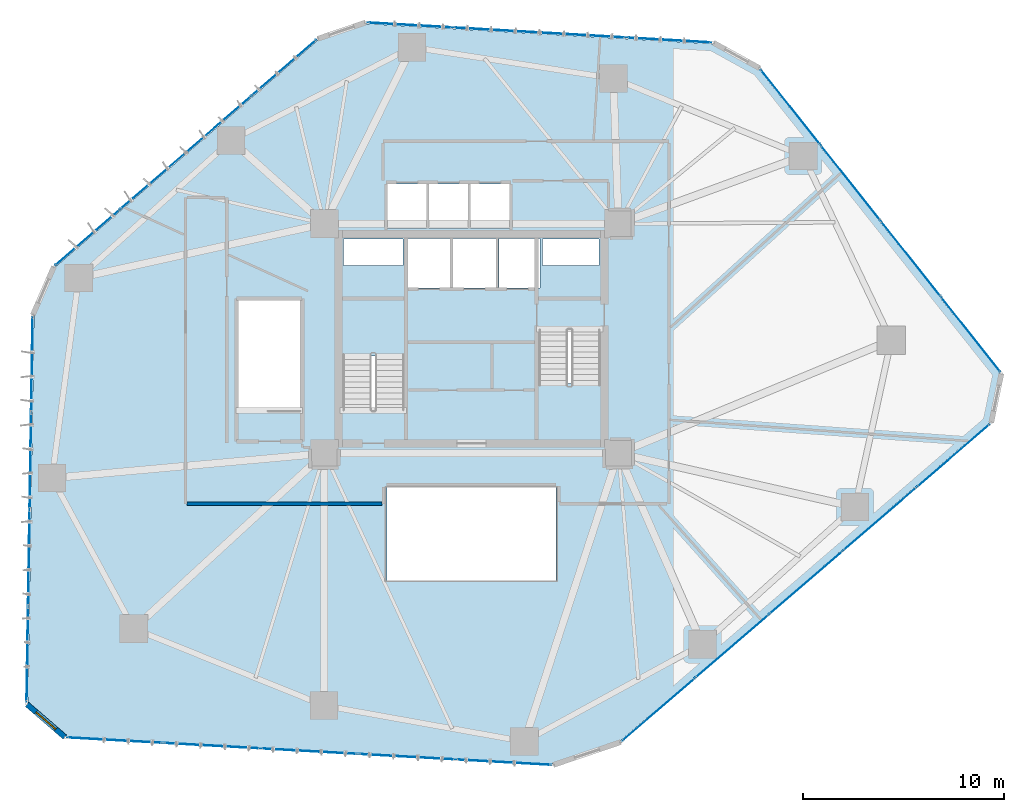
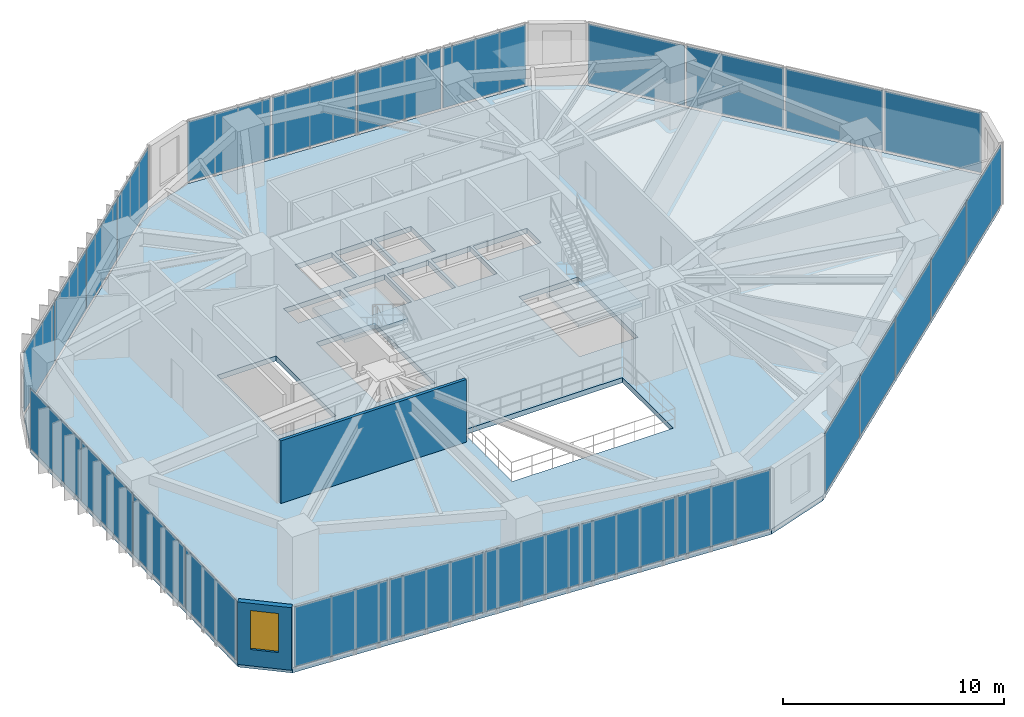
# One storey, part 18 of 24: 26 plates, 3 slabs, 2 walls, 1 window, 1 opening, 8 elements without a shape of their own.
"""IFC4 building model written with IfcOpenShell, lengths in metres."""

from ifc_helpers import new_model, si_unit, direction, frame, frame_2d, origin, origin_2d, place, context, subcontext, project, spatial, polyline, rectangle, outline, extrude, source, transform, mapped, material, layer, layer_set, type_object, type_shapes, element, fill, aggregate, save


model = new_model("IFC4")

# Units and contexts
model_context = context("Model", 3, precision=1e-05, world=origin(), true_north=direction((0.0, 1.0)))
body_context = subcontext(model_context, "Body", "Model", "MODEL_VIEW")
ifc_project = project(units=[si_unit("LENGTHUNIT", "METRE"), si_unit("AREAUNIT", "SQUARE_METRE"), si_unit("VOLUMEUNIT", "CUBIC_METRE"), si_unit("PLANEANGLEUNIT", "RADIAN"), si_unit("MASSUNIT", "GRAM", prefix="KILO")], contexts=[model_context])

# Site, building, storey
site_placement = place(None, origin())
site = spatial("IfcSite", under=ifc_project, at=site_placement, CompositionType="ELEMENT")
building_placement = place(site_placement, origin())
building = spatial("IfcBuilding", under=site, at=building_placement, Name="Talar Marvaseh", CompositionType="ELEMENT")
storey_placement = place(building_placement, frame((0.0, 0.0, 81.0)))
storey = spatial("IfcBuildingStorey", under=building, at=storey_placement, Name="L20", CompositionType="ELEMENT", Elevation=81.0)

# Stair, slab
ifc_material_1 = material(Name="Concrete C40/50", Category="concrete")
stair_type = type_object("IfcStairType", Name="Reinforced Concrete Half-Turn Exit Stair Type B", PredefinedType="HALF_TURN_STAIR", material=ifc_material_1)
stair_1_placement = place(storey_placement, origin())
stair_1 = element("IfcStair", 1, at=stair_1_placement, inside=storey, type_object=stair_type, Name="L20 Tower West Core Exit Stair", PredefinedType="HALF_TURN_STAIR")
ifc_layer_1 = layer(ifc_material_1, 0.199951171875)
ifc_layer_set_1 = layer_set([ifc_layer_1], Name="Concrete C40/50")
slab_type_1 = type_object("IfcSlabType", Name="Reinforced Concrete Stair Half-Landing Slab 200", PredefinedType="LANDING", material=ifc_layer_set_1)
slab_1_placement = place(storey_placement, frame((0.0, 0.0, 1.699951171875)))
slab_1 = element("IfcSlab", 2, at=slab_1_placement, type_object=slab_type_1, Name="ST-1 landing 1", PredefinedType="LANDING", context=body_context, shape_type="SweptSolid", body=[
    extrude(outline(polyline([(22.780029296875, 30.330078125), (22.780029296875, 33.219970703125), (19.47998046875, 33.219970703125), (19.47998046875, 30.330078125), (22.780029296875, 30.330078125)])), origin(), (0.0, 0.0, 1.0), 0.199951171875),
])
aggregate(stair_1, [slab_1])

stair_2_placement = place(storey_placement, origin())
stair_2 = element("IfcStair", 3, at=stair_2_placement, inside=storey, type_object=stair_type, Name="L20 Tower East Core Exit Stair", PredefinedType="HALF_TURN_STAIR")
slab_2_placement = place(storey_placement, frame((0.0, 0.0, 1.699951171875)))
slab_2 = element("IfcSlab", 4, at=slab_2_placement, type_object=slab_type_1, Name="ST-2 landing 1", PredefinedType="LANDING", context=body_context, shape_type="SweptSolid", body=[
    extrude(outline(polyline([(29.219970703125, 28.969970703125), (29.219970703125, 26.080078125), (32.52001953125, 26.080078125), (32.52001953125, 28.969970703125), (29.219970703125, 28.969970703125)])), origin(), (0.0, 0.0, 1.0), 0.199951171875),
])
aggregate(stair_2, [slab_2])

# Slab
ifc_layer_2 = layer(ifc_material_1, 0.280029296875)
ifc_layer_set_2 = layer_set([ifc_layer_2], Name="Concrete C40/50")
slab_type_2 = type_object("IfcSlabType", Name="Structural Suspended Floor Slab 280", PredefinedType="FLOOR", material=ifc_layer_set_2)
slab_3_placement = place(storey_placement, frame((0.0, 0.0, -0.280029296875)))
element("IfcSlab", 5, at=slab_3_placement, inside=storey, type_object=slab_type_2, Name="L20 Tower Floor Slab", PredefinedType="FLOOR", context=body_context, shape_type="SweptSolid", body=[
    extrude(outline(polyline([(5.85498046875, 11.459228515625), (3.975341796875, 13.083251953125), (4.279296875, 32.347412109375), (5.330322265625, 34.750732421875), (18.38330078125, 46.02490234375), (20.765625, 46.83349609375), (37.984375, 45.835205078125), (40.281494140625, 44.568359375), (52.249755859375, 29.47021484375), (51.7470703125, 27.03759765625), (33.391357421875, 11.226318359375), (30.04296875, 10.089599609375), (5.85498046875, 11.459228515625)]), holes=[polyline([(22.659912109375, 27.64990234375), (22.659912109375, 33.10009765625), (19.60009765625, 33.10009765625), (19.60009765625, 27.64990234375), (22.659912109375, 27.64990234375)]), polyline([(29.340087890625, 31.64990234375), (29.340087890625, 26.199951171875), (32.39990234375, 26.199951171875), (32.39990234375, 31.64990234375), (29.340087890625, 31.64990234375)]), polyline([(17.5, 27.64990234375), (17.5, 33.10009765625), (14.43994140625, 33.10009765625), (14.43994140625, 27.64990234375), (17.5, 27.64990234375)]), polyline([(22.800048828125, 33.719970703125), (24.93994140625, 33.719970703125), (24.93994140625, 36.179931640625), (22.800048828125, 36.179931640625), (22.800048828125, 33.719970703125)]), polyline([(25.080078125, 33.719970703125), (27.219970703125, 33.719970703125), (27.219970703125, 36.179931640625), (25.080078125, 36.179931640625), (25.080078125, 33.719970703125)]), polyline([(27.360107421875, 33.719970703125), (29.39990234375, 33.719970703125), (29.39990234375, 36.179931640625), (27.360107421875, 36.179931640625), (27.360107421875, 33.719970703125)]), polyline([(21.840087890625, 36.659912109375), (23.760009765625, 36.659912109375), (23.760009765625, 38.8798828125), (21.840087890625, 38.8798828125), (21.840087890625, 36.659912109375)]), polyline([(23.89990234375, 36.659912109375), (25.820068359375, 36.659912109375), (25.820068359375, 38.8798828125), (23.89990234375, 38.8798828125), (23.89990234375, 36.659912109375)]), polyline([(25.9599609375, 36.659912109375), (27.8798828125, 36.659912109375), (27.8798828125, 38.8798828125), (25.9599609375, 38.8798828125), (25.9599609375, 36.659912109375)]), polyline([(19.659912109375, 34.840087890625), (22.60009765625, 34.840087890625), (22.60009765625, 36.139892578125), (19.659912109375, 36.139892578125), (19.659912109375, 34.840087890625)]), polyline([(29.52001953125, 34.840087890625), (32.340087890625, 34.840087890625), (32.340087890625, 36.139892578125), (29.52001953125, 36.139892578125), (29.52001953125, 34.840087890625)]), polyline([(21.800048828125, 19.199951171875), (30.199951171875, 19.199951171875), (30.199951171875, 23.800048828125), (21.800048828125, 23.800048828125), (21.800048828125, 19.199951171875)])]), origin(), (0.0, 0.0, 1.0), 0.280029296875),
])

# Curtain wall, plates
ifc_material_2 = material(Name="Architectural Aluminium", Category="aluminium")
ifc_layer_3 = layer(ifc_material_2, 0.219970703125)
ifc_layer_set_3 = layer_set([ifc_layer_3], Name="Architectural Aluminium")
curtain_wall_type = type_object("IfcCurtainWallType", Name="Unitised Low-E Museum Curtain Wall Z1", PredefinedType="NOTDEFINED", material=ifc_layer_set_3)
curtain_wall_1_placement = place(storey_placement, origin())
curtain_wall_1 = element("IfcCurtainWall", 6, at=curtain_wall_1_placement, inside=storey, type_object=curtain_wall_type, Name="L20 Unitised Low-E Museum Curtain Wall Z1", PredefinedType="NOTDEFINED")
ifc_material_3 = material(Name="Laminated Low-E Solar Glass", Category="glass")
ifc_layer_4 = layer(ifc_material_3, 0.028076171875)
ifc_layer_set_4 = layer_set([ifc_layer_4], Name="Laminated Low-E Solar Glass")
plate_type = type_object("IfcPlateType", Name="Double-Glazed Low-E Vision Curtain Panel 28", PredefinedType="CURTAIN_PANEL", material=ifc_layer_set_4)
shared_shape_1 = source(origin(), body_context, "Body", "SweptSolid", [
    extrude(rectangle(XDim=4.696533203125, YDim=0.028076171875, at=origin_2d()), origin(), (0.0, 0.0, 1.0), 3.300048828125),
])
plate_1_placement = place(storey_placement, frame((3.95361328125, 15.51220703125, 0.0751953125), z_axis=(0.0, 0.0, 1.0), x_axis=(0.015773577229, 0.999875589392, 0.0)))
plate_1 = element("IfcPlate", 7, at=plate_1_placement, type_object=plate_type, Name="CW-Z1 panel 1.1", PredefinedType="CURTAIN_PANEL", context=body_context, shape_type="MappedRepresentation", body=[
    mapped(shared_shape_1, transform((0.0, 0.0, 0.0), x_axis=(1.0, 0.0, 0.0), y_axis=(0.0, 1.0, 0.0), z_axis=(0.0, 0.0, 1.0), scale=1.0)),
])
plate_2_placement = place(storey_placement, frame((4.180908203125, 29.920166015625, 0.0751953125), z_axis=(0.0, 0.0, 1.0), x_axis=(0.015773577229, 0.999875589392, 0.0)))
plate_2 = element("IfcPlate", 8, at=plate_2_placement, type_object=plate_type, Name="CW-Z1 panel 4.1", PredefinedType="CURTAIN_PANEL", context=body_context, shape_type="MappedRepresentation", body=[
    mapped(shared_shape_1, transform((0.0, 0.0, 0.0), x_axis=(1.0, 0.0, 0.0), y_axis=(0.0, 1.0, 0.0), z_axis=(0.0, 0.0, 1.0), scale=1.0)),
])

curtain_wall_2_placement = place(storey_placement, origin())
curtain_wall_2 = element("IfcCurtainWall", 9, at=curtain_wall_2_placement, inside=storey, type_object=curtain_wall_type, Name="L20 Unitised Low-E Museum Curtain Wall Z1", PredefinedType="NOTDEFINED")
plate_3_placement = place(storey_placement, frame((41.8369140625, 42.702880859375, 0.0751953125), z_axis=(0.0, 0.0, 1.0), x_axis=(0.621201761097, -0.783650669629, 0.0)))
plate_3 = element("IfcPlate", 10, at=plate_3_placement, type_object=plate_type, Name="CW-Z1 panel 1.1", PredefinedType="CURTAIN_PANEL", context=body_context, shape_type="MappedRepresentation", body=[
    mapped(shared_shape_1, transform((0.0, 0.0, 0.0), x_axis=(1.0, 0.0, 0.0), y_axis=(0.0, 1.0, 0.0), z_axis=(0.0, 0.0, 1.0), scale=1.0)),
])
plate_4_placement = place(storey_placement, frame((50.788330078125, 31.41064453125, 0.0751953125), z_axis=(0.0, 0.0, 1.0), x_axis=(0.621201761097, -0.783650669629, 0.0)))
plate_4 = element("IfcPlate", 11, at=plate_4_placement, type_object=plate_type, Name="CW-Z1 panel 4.1", PredefinedType="CURTAIN_PANEL", context=body_context, shape_type="MappedRepresentation", body=[
    mapped(shared_shape_1, transform((0.0, 0.0, 0.0), x_axis=(1.0, 0.0, 0.0), y_axis=(0.0, 1.0, 0.0), z_axis=(0.0, 0.0, 1.0), scale=1.0)),
])

# Plate
shared_shape_2 = source(origin(), body_context, "Body", "SweptSolid", [
    extrude(rectangle(XDim=4.736572265625, YDim=0.028076171875, at=origin_2d()), origin(), (0.0, 0.0, 1.0), 3.300048828125),
])
plate_5_placement = place(storey_placement, frame((4.029296875, 20.30810546875, 0.0751953125), z_axis=(0.0, 0.0, 1.0), x_axis=(0.015773577229, 0.999875589392, 0.0)))
plate_5 = element("IfcPlate", 12, at=plate_5_placement, type_object=plate_type, Name="CW-Z1 panel 2.1", PredefinedType="CURTAIN_PANEL", context=body_context, shape_type="MappedRepresentation", body=[
    mapped(shared_shape_2, transform((0.0, 0.0, 0.0), x_axis=(1.0, 0.0, 0.0), y_axis=(0.0, 1.0, 0.0), z_axis=(0.0, 0.0, 1.0), scale=1.0)),
])

plate_6_placement = place(storey_placement, frame((4.105224609375, 25.124267578125, 0.0751953125), z_axis=(0.0, 0.0, 1.0), x_axis=(0.015773577229, 0.999875589392, 0.0)))
plate_6 = element("IfcPlate", 13, at=plate_6_placement, type_object=plate_type, Name="CW-Z1 panel 3.1", PredefinedType="CURTAIN_PANEL", context=body_context, shape_type="MappedRepresentation", body=[
    mapped(shared_shape_2, transform((0.0, 0.0, 0.0), x_axis=(1.0, 0.0, 0.0), y_axis=(0.0, 1.0, 0.0), z_axis=(0.0, 0.0, 1.0), scale=1.0)),
])

aggregate(curtain_wall_1, [plate_1, plate_5, plate_6, plate_2])

plate_7_placement = place(storey_placement, frame((44.81640625, 38.94384765625, 0.0751953125), z_axis=(0.0, 0.0, 1.0), x_axis=(0.621201761097, -0.783650669629, 0.0)))
plate_7 = element("IfcPlate", 14, at=plate_7_placement, type_object=plate_type, Name="CW-Z1 panel 2.1", PredefinedType="CURTAIN_PANEL", context=body_context, shape_type="MappedRepresentation", body=[
    mapped(shared_shape_2, transform((0.0, 0.0, 0.0), x_axis=(1.0, 0.0, 0.0), y_axis=(0.0, 1.0, 0.0), z_axis=(0.0, 0.0, 1.0), scale=1.0)),
])

plate_8_placement = place(storey_placement, frame((47.80859375, 35.16943359375, 0.0751953125), z_axis=(0.0, 0.0, 1.0), x_axis=(0.621201761097, -0.783650669629, 0.0)))
plate_8 = element("IfcPlate", 15, at=plate_8_placement, type_object=plate_type, Name="CW-Z1 panel 3.1", PredefinedType="CURTAIN_PANEL", context=body_context, shape_type="MappedRepresentation", body=[
    mapped(shared_shape_2, transform((0.0, 0.0, 0.0), x_axis=(1.0, 0.0, 0.0), y_axis=(0.0, 1.0, 0.0), z_axis=(0.0, 0.0, 1.0), scale=1.0)),
])

aggregate(curtain_wall_2, [plate_3, plate_7, plate_8, plate_4])

# Curtain wall, plates
curtain_wall_3_placement = place(storey_placement, origin())
curtain_wall_3 = element("IfcCurtainWall", 16, at=curtain_wall_3_placement, inside=storey, type_object=curtain_wall_type, Name="L20 Unitised Low-E Museum Curtain Wall Z1", PredefinedType="NOTDEFINED")
shared_shape_3 = source(origin(), body_context, "Body", "SweptSolid", [
    extrude(rectangle(XDim=4.19189453125, YDim=0.028076171875, at=origin_2d()), origin(), (0.0, 0.0, 1.0), 3.300048828125),
])
plate_9_placement = place(storey_placement, frame((6.93798828125, 36.218505859375, 0.0751953125), z_axis=(0.0, 0.0, 1.0), x_axis=(0.756790675726, 0.653657305577, 0.0)))
plate_9 = element("IfcPlate", 17, at=plate_9_placement, type_object=plate_type, Name="CW-Z1 panel 1.1", PredefinedType="CURTAIN_PANEL", context=body_context, shape_type="MappedRepresentation", body=[
    mapped(shared_shape_3, transform((0.0, 0.0, 0.0), x_axis=(1.0, 0.0, 0.0), y_axis=(0.0, 1.0, 0.0), z_axis=(0.0, 0.0, 1.0), scale=1.0)),
])
plate_10_placement = place(storey_placement, frame((16.697265625, 44.64794921875, 0.0751953125), z_axis=(0.0, 0.0, 1.0), x_axis=(0.756790675726, 0.653657305577, 0.0)))
plate_10 = element("IfcPlate", 18, at=plate_10_placement, type_object=plate_type, Name="CW-Z1 panel 4.1", PredefinedType="CURTAIN_PANEL", context=body_context, shape_type="MappedRepresentation", body=[
    mapped(shared_shape_3, transform((0.0, 0.0, 0.0), x_axis=(1.0, 0.0, 0.0), y_axis=(0.0, 1.0, 0.0), z_axis=(0.0, 0.0, 1.0), scale=1.0)),
])

curtain_wall_4_placement = place(storey_placement, origin())
curtain_wall_4 = element("IfcCurtainWall", 19, at=curtain_wall_4_placement, inside=storey, type_object=curtain_wall_type, Name="L20 Unitised Low-E Museum Curtain Wall Z1", PredefinedType="NOTDEFINED")
plate_11_placement = place(storey_placement, frame((22.94140625, 46.767578125, 0.0751953125), z_axis=(0.0, 0.0, 1.0), x_axis=(0.998323836153, -0.057875021972, 0.0)))
plate_11 = element("IfcPlate", 20, at=plate_11_placement, type_object=plate_type, Name="CW-Z1 panel 1.1", PredefinedType="CURTAIN_PANEL", context=body_context, shape_type="MappedRepresentation", body=[
    mapped(shared_shape_3, transform((0.0, 0.0, 0.0), x_axis=(1.0, 0.0, 0.0), y_axis=(0.0, 1.0, 0.0), z_axis=(0.0, 0.0, 1.0), scale=1.0)),
])
plate_12_placement = place(storey_placement, frame((35.8154296875, 46.021240234375, 0.0751953125), z_axis=(0.0, 0.0, 1.0), x_axis=(0.998323836153, -0.057875021972, 0.0)))
plate_12 = element("IfcPlate", 21, at=plate_12_placement, type_object=plate_type, Name="CW-Z1 panel 4.1", PredefinedType="CURTAIN_PANEL", context=body_context, shape_type="MappedRepresentation", body=[
    mapped(shared_shape_3, transform((0.0, 0.0, 0.0), x_axis=(1.0, 0.0, 0.0), y_axis=(0.0, 1.0, 0.0), z_axis=(0.0, 0.0, 1.0), scale=1.0)),
])

# Plate
shared_shape_4 = source(origin(), body_context, "Body", "SweptSolid", [
    extrude(rectangle(XDim=4.23193359375, YDim=0.028076171875, at=origin_2d()), origin(), (0.0, 0.0, 1.0), 3.300048828125),
])
plate_13_placement = place(storey_placement, frame((10.18603515625, 39.02392578125, 0.0751953125), z_axis=(0.0, 0.0, 1.0), x_axis=(0.756790675726, 0.653657305577, 0.0)))
plate_13 = element("IfcPlate", 22, at=plate_13_placement, type_object=plate_type, Name="CW-Z1 panel 2.1", PredefinedType="CURTAIN_PANEL", context=body_context, shape_type="MappedRepresentation", body=[
    mapped(shared_shape_4, transform((0.0, 0.0, 0.0), x_axis=(1.0, 0.0, 0.0), y_axis=(0.0, 1.0, 0.0), z_axis=(0.0, 0.0, 1.0), scale=1.0)),
])

plate_14_placement = place(storey_placement, frame((13.44921875, 41.842529296875, 0.0751953125), z_axis=(0.0, 0.0, 1.0), x_axis=(0.756790675726, 0.653657305577, 0.0)))
plate_14 = element("IfcPlate", 23, at=plate_14_placement, type_object=plate_type, Name="CW-Z1 panel 3.1", PredefinedType="CURTAIN_PANEL", context=body_context, shape_type="MappedRepresentation", body=[
    mapped(shared_shape_4, transform((0.0, 0.0, 0.0), x_axis=(1.0, 0.0, 0.0), y_axis=(0.0, 1.0, 0.0), z_axis=(0.0, 0.0, 1.0), scale=1.0)),
])

aggregate(curtain_wall_3, [plate_9, plate_13, plate_14, plate_10])

plate_15_placement = place(storey_placement, frame((27.22607421875, 46.51904296875, 0.0751953125), z_axis=(0.0, 0.0, 1.0), x_axis=(0.998323836153, -0.057875021972, 0.0)))
plate_15 = element("IfcPlate", 24, at=plate_15_placement, type_object=plate_type, Name="CW-Z1 panel 2.1", PredefinedType="CURTAIN_PANEL", context=body_context, shape_type="MappedRepresentation", body=[
    mapped(shared_shape_4, transform((0.0, 0.0, 0.0), x_axis=(1.0, 0.0, 0.0), y_axis=(0.0, 1.0, 0.0), z_axis=(0.0, 0.0, 1.0), scale=1.0)),
])

plate_16_placement = place(storey_placement, frame((31.53076171875, 46.26953125, 0.0751953125), z_axis=(0.0, 0.0, 1.0), x_axis=(0.998323836153, -0.057875021972, 0.0)))
plate_16 = element("IfcPlate", 25, at=plate_16_placement, type_object=plate_type, Name="CW-Z1 panel 3.1", PredefinedType="CURTAIN_PANEL", context=body_context, shape_type="MappedRepresentation", body=[
    mapped(shared_shape_4, transform((0.0, 0.0, 0.0), x_axis=(1.0, 0.0, 0.0), y_axis=(0.0, 1.0, 0.0), z_axis=(0.0, 0.0, 1.0), scale=1.0)),
])

aggregate(curtain_wall_4, [plate_11, plate_15, plate_16, plate_12])

# Curtain wall, plates
curtain_wall_5_placement = place(storey_placement, origin())
curtain_wall_5 = element("IfcCurtainWall", 26, at=curtain_wall_5_placement, inside=storey, type_object=curtain_wall_type, Name="L20 Unitised Low-E Museum Curtain Wall Z1", PredefinedType="NOTDEFINED")
shared_shape_5 = source(origin(), body_context, "Body", "SweptSolid", [
    extrude(rectangle(XDim=4.725341796875, YDim=0.028076171875, at=origin_2d()), origin(), (0.0, 0.0, 1.0), 3.300048828125),
])
plate_17_placement = place(storey_placement, frame((49.935546875, 25.39794921875, 0.0751953125), z_axis=(0.0, 0.0, 1.0), x_axis=(-0.757664646036, -0.652644071563, 0.0)))
plate_17 = element("IfcPlate", 27, at=plate_17_placement, type_object=plate_type, Name="CW-Z1 panel 1.1", PredefinedType="CURTAIN_PANEL", context=body_context, shape_type="MappedRepresentation", body=[
    mapped(shared_shape_5, transform((0.0, 0.0, 0.0), x_axis=(1.0, 0.0, 0.0), y_axis=(0.0, 1.0, 0.0), z_axis=(0.0, 0.0, 1.0), scale=1.0)),
])
plate_18_placement = place(storey_placement, frame((35.28125, 12.77490234375, 0.0751953125), z_axis=(0.0, 0.0, 1.0), x_axis=(-0.757664646036, -0.652644071563, 0.0)))
plate_18 = element("IfcPlate", 28, at=plate_18_placement, type_object=plate_type, Name="CW-Z1 panel 5.1", PredefinedType="CURTAIN_PANEL", context=body_context, shape_type="MappedRepresentation", body=[
    mapped(shared_shape_5, transform((0.0, 0.0, 0.0), x_axis=(1.0, 0.0, 0.0), y_axis=(0.0, 1.0, 0.0), z_axis=(0.0, 0.0, 1.0), scale=1.0)),
])

curtain_wall_6_placement = place(storey_placement, origin())
curtain_wall_6 = element("IfcCurtainWall", 29, at=curtain_wall_6_placement, inside=storey, type_object=curtain_wall_type, Name="L20 Unitised Low-E Museum Curtain Wall Z1", PredefinedType="NOTDEFINED")
plate_19_placement = place(storey_placement, frame((27.600830078125, 10.167724609375, 0.0751953125), z_axis=(0.0, 0.0, 1.0), x_axis=(-0.998400509596, 0.056536912182, 0.0)))
plate_19 = element("IfcPlate", 30, at=plate_19_placement, type_object=plate_type, Name="CW-Z1 panel 1.1", PredefinedType="CURTAIN_PANEL", context=body_context, shape_type="MappedRepresentation", body=[
    mapped(shared_shape_5, transform((0.0, 0.0, 0.0), x_axis=(1.0, 0.0, 0.0), y_axis=(0.0, 1.0, 0.0), z_axis=(0.0, 0.0, 1.0), scale=1.0)),
])
plate_20_placement = place(storey_placement, frame((8.290283203125, 11.26123046875, 0.0751953125), z_axis=(0.0, 0.0, 1.0), x_axis=(-0.998400509596, 0.056536912182, 0.0)))
plate_20 = element("IfcPlate", 31, at=plate_20_placement, type_object=plate_type, Name="CW-Z1 panel 5.1", PredefinedType="CURTAIN_PANEL", context=body_context, shape_type="MappedRepresentation", body=[
    mapped(shared_shape_5, transform((0.0, 0.0, 0.0), x_axis=(1.0, 0.0, 0.0), y_axis=(0.0, 1.0, 0.0), z_axis=(0.0, 0.0, 1.0), scale=1.0)),
])

# Plate
shared_shape_6 = source(origin(), body_context, "Body", "SweptSolid", [
    extrude(rectangle(XDim=4.765380859375, YDim=0.028076171875, at=origin_2d()), origin(), (0.0, 0.0, 1.0), 3.300048828125),
])
type_shapes(plate_type, [shared_shape_1, shared_shape_2, shared_shape_3, shared_shape_4, shared_shape_5, shared_shape_6])
plate_21_placement = place(storey_placement, frame((46.279541015625, 22.248779296875, 0.0751953125), z_axis=(0.0, 0.0, 1.0), x_axis=(-0.757664646036, -0.652644071563, 0.0)))
plate_21 = element("IfcPlate", 32, at=plate_21_placement, type_object=plate_type, Name="CW-Z1 panel 2.1", PredefinedType="CURTAIN_PANEL", context=body_context, shape_type="MappedRepresentation", body=[
    mapped(shared_shape_6, transform((0.0, 0.0, 0.0), x_axis=(1.0, 0.0, 0.0), y_axis=(0.0, 1.0, 0.0), z_axis=(0.0, 0.0, 1.0), scale=1.0)),
])

plate_22_placement = place(storey_placement, frame((42.6083984375, 19.08642578125, 0.0751953125), z_axis=(0.0, 0.0, 1.0), x_axis=(-0.757664646036, -0.652644071563, 0.0)))
plate_22 = element("IfcPlate", 33, at=plate_22_placement, type_object=plate_type, Name="CW-Z1 panel 3.1", PredefinedType="CURTAIN_PANEL", context=body_context, shape_type="MappedRepresentation", body=[
    mapped(shared_shape_6, transform((0.0, 0.0, 0.0), x_axis=(1.0, 0.0, 0.0), y_axis=(0.0, 1.0, 0.0), z_axis=(0.0, 0.0, 1.0), scale=1.0)),
])

plate_23_placement = place(storey_placement, frame((38.937255859375, 15.924072265625, 0.0751953125), z_axis=(0.0, 0.0, 1.0), x_axis=(-0.757664646036, -0.652644071563, 0.0)))
plate_23 = element("IfcPlate", 34, at=plate_23_placement, type_object=plate_type, Name="CW-Z1 panel 4.1", PredefinedType="CURTAIN_PANEL", context=body_context, shape_type="MappedRepresentation", body=[
    mapped(shared_shape_6, transform((0.0, 0.0, 0.0), x_axis=(1.0, 0.0, 0.0), y_axis=(0.0, 1.0, 0.0), z_axis=(0.0, 0.0, 1.0), scale=1.0)),
])

aggregate(curtain_wall_5, [plate_17, plate_21, plate_22, plate_23, plate_18])

plate_24_placement = place(storey_placement, frame((22.783203125, 10.440673828125, 0.0751953125), z_axis=(0.0, 0.0, 1.0), x_axis=(-0.998400509596, 0.056536912182, 0.0)))
plate_24 = element("IfcPlate", 35, at=plate_24_placement, type_object=plate_type, Name="CW-Z1 panel 2.1", PredefinedType="CURTAIN_PANEL", context=body_context, shape_type="MappedRepresentation", body=[
    mapped(shared_shape_6, transform((0.0, 0.0, 0.0), x_axis=(1.0, 0.0, 0.0), y_axis=(0.0, 1.0, 0.0), z_axis=(0.0, 0.0, 1.0), scale=1.0)),
])

plate_25_placement = place(storey_placement, frame((17.945556640625, 10.714599609375, 0.0751953125), z_axis=(0.0, 0.0, 1.0), x_axis=(-0.998400509596, 0.056536912182, 0.0)))
plate_25 = element("IfcPlate", 36, at=plate_25_placement, type_object=plate_type, Name="CW-Z1 panel 3.1", PredefinedType="CURTAIN_PANEL", context=body_context, shape_type="MappedRepresentation", body=[
    mapped(shared_shape_6, transform((0.0, 0.0, 0.0), x_axis=(1.0, 0.0, 0.0), y_axis=(0.0, 1.0, 0.0), z_axis=(0.0, 0.0, 1.0), scale=1.0)),
])

plate_26_placement = place(storey_placement, frame((13.10791015625, 10.988525390625, 0.0751953125), z_axis=(0.0, 0.0, 1.0), x_axis=(-0.998400509596, 0.056536912182, 0.0)))
plate_26 = element("IfcPlate", 37, at=plate_26_placement, type_object=plate_type, Name="CW-Z1 panel 4.1", PredefinedType="CURTAIN_PANEL", context=body_context, shape_type="MappedRepresentation", body=[
    mapped(shared_shape_6, transform((0.0, 0.0, 0.0), x_axis=(1.0, 0.0, 0.0), y_axis=(0.0, 1.0, 0.0), z_axis=(0.0, 0.0, 1.0), scale=1.0)),
])

aggregate(curtain_wall_6, [plate_19, plate_24, plate_25, plate_26, plate_20])

# Wall, opening, window
ifc_material_4 = material(Name="Precast concrete C45/55", Category="concrete")
ifc_layer_5 = layer(ifc_material_4, 0.27001953125)
ifc_layer_set_5 = layer_set([ifc_layer_5], Name="Precast concrete C45/55")
wall_type_1 = type_object("IfcWallType", Name="Chamfered Hexagonal Corner Pier Wall Z1 270", PredefinedType="SOLIDWALL", material=ifc_layer_set_5)
wall_1_placement = place(storey_placement, frame((5.81591796875, 11.413818359375, 0.0), z_axis=(0.0, 0.0, 1.0), x_axis=(-0.756725770049, 0.653732444463, 0.0)))
wall_1 = element("IfcWall", 38, at=wall_1_placement, inside=storey, type_object=wall_type_1, Name="L20 Chamfered Corner Limestone Pier 1", PredefinedType="SOLIDWALL", context=body_context, shape_type="SweptSolid", body=[
    extrude(rectangle(XDim=2.484130859375, YDim=0.27001953125, at=frame_2d((1.2421875, 0.0))), origin(), (0.0, 0.0, 1.0), 3.449951171875),
])
opening_placement = place(wall_1_placement, frame((0.592041015625, 0.0, 0.89990234375)))
opening = element("IfcOpeningElement", 39, at=opening_placement, cuts=wall_1, Name="Opening WN-CHM13", PredefinedType="OPENING", context=body_context, shape_type="SweptSolid", body=[
    extrude(rectangle(XDim=1.300048828125, YDim=2.14990234375, at=frame_2d((0.64990234375, 1.074951171875))), frame((0.0, 0.14501953125, 0.0), z_axis=(0.0, -1.0, 0.0), x_axis=(1.0, 0.0, 0.0)), (0.0, 0.0, 1.0), 0.2900390625),
])
window_type = type_object("IfcWindowType", Name="Zone 1 Chamfered Corner Slot Window 1300x2150", PartitioningType="SINGLE_PANEL", PredefinedType="WINDOW", material=ifc_material_3)
shared_shape_7 = source(origin(), body_context, "Body", "SweptSolid", [
    extrude(rectangle(XDim=1.300048828125, YDim=2.14990234375, at=frame_2d((0.64990234375, 1.074951171875))), frame((0.0, 0.030029296875, 0.0), z_axis=(0.0, -1.0, 0.0), x_axis=(1.0, 0.0, 0.0)), (0.0, 0.0, 1.0), 0.06005859375),
])
type_shapes(window_type, [shared_shape_7])
window_placement = place(opening_placement, origin())
window = element("IfcWindow", 40, at=window_placement, inside=storey, type_object=window_type, Name="L20 Chamfered Corner Slot Window", OverallHeight=2.14990234375, OverallWidth=1.300048828125, PartitioningType="SINGLE_PANEL", PredefinedType="WINDOW", context=body_context, shape_type="MappedRepresentation", body=[
    mapped(shared_shape_7, transform((0.0, 0.0, 0.0), x_axis=(1.0, 0.0, 0.0), y_axis=(0.0, 1.0, 0.0), z_axis=(0.0, 0.0, 1.0), scale=1.0)),
])
fill(opening, window)

# Wall
ifc_material_5 = material(Name="Gypsum Board Partition Assembly")
ifc_layer_6 = layer(ifc_material_5, 0.155029296875)
ifc_layer_set_6 = layer_set([ifc_layer_6], Name="Gypsum Board Partition Assembly")
wall_type_2 = type_object("IfcWallType", Name="Corridor Fire-Rated Acoustic Partition 155", PredefinedType="PARTITIONING", material=ifc_layer_set_6)
wall_2_placement = place(storey_placement, frame((21.556396484375, 23.0, 0.0), z_axis=(0.0, 0.0, 1.0), x_axis=(-1.0, 0.0, 0.0)))
element("IfcWall", 41, at=wall_2_placement, inside=storey, type_object=wall_type_2, Name="L20 Interior Partition Wall", PredefinedType="PARTITIONING", context=body_context, shape_type="SweptSolid", body=[
    extrude(rectangle(XDim=9.6728515625, YDim=0.155029296875, at=frame_2d((4.83642578125, 0.0))), origin(), (0.0, 0.0, 1.0), 3.449951171875),
])

save(model, "model.ifc")
